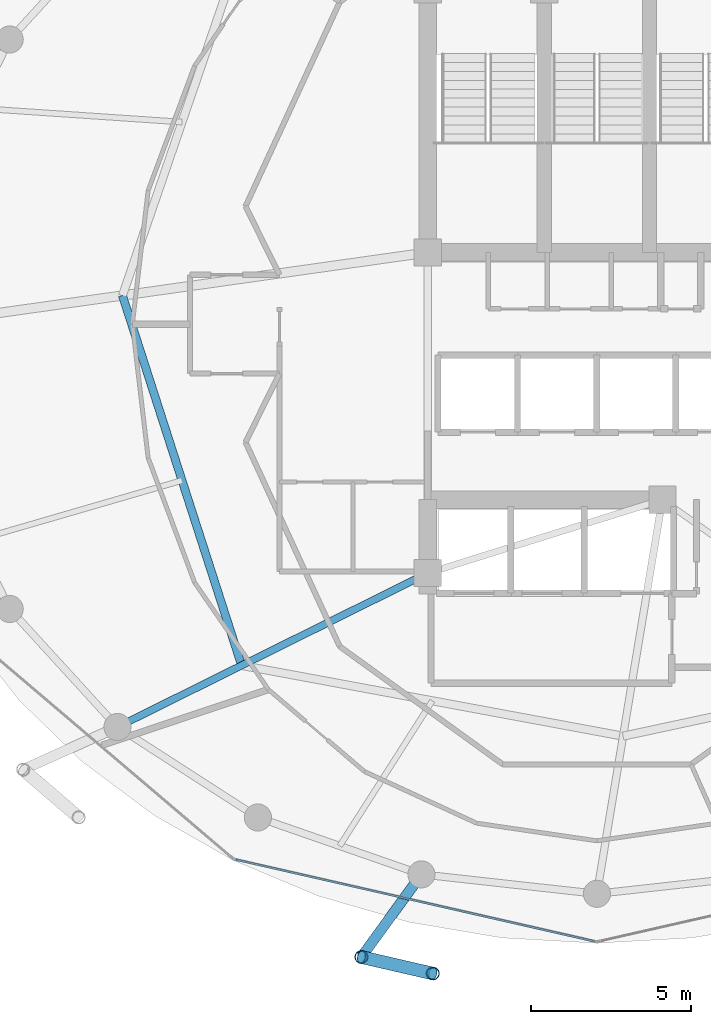
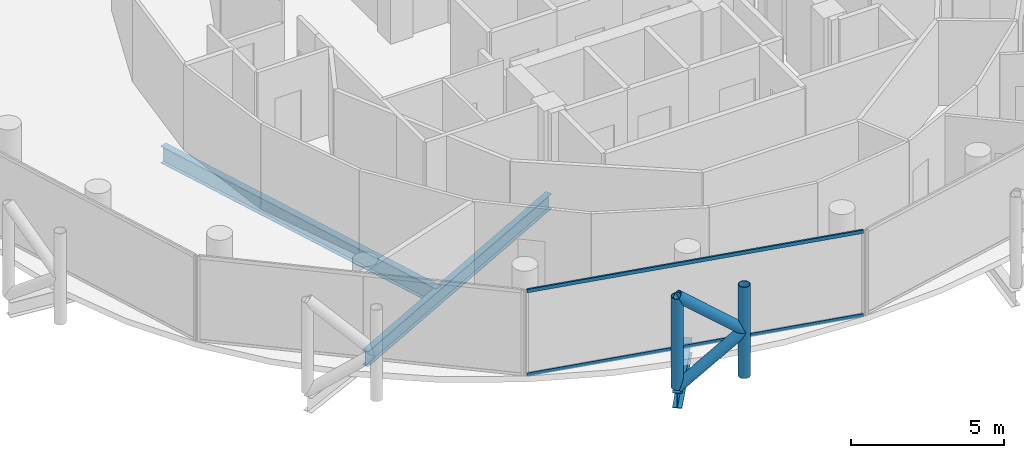
# One storey, part 4 of 27: 6 members, 3 beams, 1 element without a shape of its own.
"""IFC4 building model written with IfcOpenShell, lengths in metres."""

from ifc_helpers import new_model, si_unit, direction, frame, origin, origin_2d, place, context, subcontext, project, spatial, hollow_rectangle, hollow_circle, i_section, extrude, material, layer, layer_set, material_profile, profile_set, type_object, element, aggregate, save


model = new_model("IFC4")

# Units and contexts
model_context = context("Model", 3, precision=1e-05, world=origin(), true_north=direction((0.0, 1.0)))
body_context = subcontext(model_context, "Body", "Model", "MODEL_VIEW")
ifc_project = project(units=[si_unit("LENGTHUNIT", "METRE"), si_unit("AREAUNIT", "SQUARE_METRE"), si_unit("VOLUMEUNIT", "CUBIC_METRE"), si_unit("PLANEANGLEUNIT", "RADIAN"), si_unit("MASSUNIT", "GRAM", prefix="KILO")], contexts=[model_context])

# Site, building, storey
site_placement = place(None, origin())
site = spatial("IfcSite", under=ifc_project, at=site_placement, CompositionType="ELEMENT")
building_placement = place(site_placement, origin())
building = spatial("IfcBuilding", under=site, at=building_placement, Name="Nuhasar Tower", CompositionType="ELEMENT")
storey_placement = place(building_placement, frame((0.0, 0.0, 237.35009765625)))
storey = spatial("IfcBuildingStorey", under=building, at=storey_placement, Name="L58", CompositionType="ELEMENT", Elevation=237.35009765625)

# Beams
ifc_material_1 = material(Name="Steel S355", Category="steel")
ifc_material_profile_1 = material_profile(ifc_material_1, i_section(OverallWidth=0.25390625, OverallDepth=0.68408203125, WebThickness=0.012451171875, FlangeThickness=0.018798828125, at=origin_2d()), Name="W27X94")
ifc_profile_set_1 = profile_set([ifc_material_profile_1], Name="Steel S355")
beam_type_1 = type_object("IfcBeamType", Name="BM-INRING-W27X94", PredefinedType="BEAM", material=ifc_profile_set_1)
beam_1_placement = place(storey_placement, frame((24.1298828125, 27.699951171875, -0.58203125), z_axis=(0.306589852134, -0.951841721385, 0.0), x_axis=(0.951841721385, 0.306589852134, 0.0)))
element("IfcBeam", 1, at=beam_1_placement, inside=storey, type_object=beam_type_1, Name="L58 Inner Header Beam 08", PredefinedType="BEAM", context=body_context, shape_type="SweptSolid", body=[
    extrude(i_section(OverallWidth=0.25390625, OverallDepth=0.68408203125, WebThickness=0.012451171875, FlangeThickness=0.018798828125, at=origin_2d()), origin(), (0.0, 0.0, 1.0), 12.179443359375),
])
ifc_material_profile_2 = material_profile(ifc_material_1, i_section(OverallWidth=0.22900390625, OverallDepth=0.612060546875, WebThickness=0.011962890625, FlangeThickness=0.01953125, at=origin_2d()), Name="W24X84")
ifc_profile_set_2 = profile_set([ifc_material_profile_2], Name="Steel S355")
beam_type_2 = type_object("IfcBeamType", Name="BM-RAD-W24X84", PredefinedType="BEAM", material=ifc_profile_set_2)
beam_2_placement = place(storey_placement, frame((33.699951171875, 19.0, -0.546142578125), z_axis=(-0.895928935233, -0.444197414459, 0.0), x_axis=(0.444197414459, -0.895928935233, 0.0)))
element("IfcBeam", 2, at=beam_2_placement, inside=storey, type_object=beam_type_2, Name="L58 Radial Floor Girder 01", PredefinedType="BEAM", context=body_context, shape_type="SweptSolid", body=[
    extrude(i_section(OverallWidth=0.22900390625, OverallDepth=0.612060546875, WebThickness=0.011962890625, FlangeThickness=0.01953125, at=origin_2d()), origin(), (0.0, 0.0, 1.0), 10.85546875),
])
ifc_material_profile_3 = material_profile(ifc_material_1, i_section(OverallWidth=0.323974609375, OverallDepth=0.611083984375, WebThickness=0.0126953125, FlangeThickness=0.01904296875, at=origin_2d()), Name="W24X104")
ifc_profile_set_3 = profile_set([ifc_material_profile_3], Name="Steel S355")
beam_type_3 = type_object("IfcBeamType", Name="BM-TIE-W24X104", PredefinedType="BEAM", material=ifc_profile_set_3)
beam_3_placement = place(storey_placement, frame((33.5, 9.55810546875, -0.545166015625), z_axis=(-0.588094663461, -0.808792103577, 0.0), x_axis=(0.808792103577, -0.588094663461, 0.0)))
element("IfcBeam", 3, at=beam_3_placement, inside=storey, type_object=beam_type_3, Name="L58 Exoskeleton Node Tie Beam 09", PredefinedType="BEAM", context=body_context, shape_type="SweptSolid", body=[
    extrude(i_section(OverallWidth=0.323974609375, OverallDepth=0.611083984375, WebThickness=0.0126953125, FlangeThickness=0.01904296875, at=origin_2d()), origin(), (0.0, 0.0, 1.0), 3.20361328125),
])

# Curtain wall, members
ifc_material_2 = material(Name="Aluminium 6063-T6", Category="aluminium")
ifc_layer = layer(ifc_material_2, 0.18994140625)
ifc_layer_set = layer_set([ifc_layer], Name="Aluminium 6063-T6")
curtain_wall_type = type_object("IfcCurtainWallType", Name="CW-Z3-RES", PredefinedType="NOTDEFINED", material=ifc_layer_set)
curtain_wall_placement = place(storey_placement, origin())
curtain_wall = element("IfcCurtainWall", 4, at=curtain_wall_placement, inside=storey, type_object=curtain_wall_type, Name="L58 Unitised Curtain Wall 09", PredefinedType="NOTDEFINED")
ifc_material_profile_4 = material_profile(ifc_material_2, hollow_rectangle(XDim=0.06494140625, YDim=0.139892578125, WallThickness=0.00439453125, at=origin_2d()), Name="CWT-4")
ifc_profile_set_4 = profile_set([ifc_material_profile_4], Name="Aluminium 6063-T6")
member_type_1 = type_object("IfcMemberType", Name="CW-TRN-S4", PredefinedType="USERDEFINED", material=ifc_profile_set_4)
member_1_placement = place(storey_placement, frame((27.683349609375, 10.01953125, 0.032470703125), z_axis=(0.974989487479, -0.222250982686, 0.0), x_axis=(0.222250982686, 0.974989487479, 0.0)))
member_1 = element("IfcMember", 5, at=member_1_placement, type_object=member_type_1, Name="CW-Z3 transom 1.1", ObjectType="TRANSOM", PredefinedType="USERDEFINED", context=body_context, shape_type="SweptSolid", body=[
    extrude(hollow_rectangle(XDim=0.06494140625, YDim=0.139892578125, WallThickness=0.00439453125, at=origin_2d()), origin(), (0.0, 0.0, 1.0), 11.541748046875),
])
member_2_placement = place(storey_placement, frame((27.683349609375, 10.01953125, 3.37744140625), z_axis=(0.974989487479, -0.222250982686, 0.0), x_axis=(0.222250982686, 0.974989487479, 0.0)))
member_2 = element("IfcMember", 6, at=member_2_placement, type_object=member_type_1, Name="CW-Z3 transom 1.2", ObjectType="TRANSOM", PredefinedType="USERDEFINED", context=body_context, shape_type="SweptSolid", body=[
    extrude(hollow_rectangle(XDim=0.06494140625, YDim=0.139892578125, WallThickness=0.00439453125, at=origin_2d()), origin(), (0.0, 0.0, 1.0), 11.541748046875),
])
aggregate(curtain_wall, [member_1, member_2])

# Members
ifc_material_3 = material(Name="Steel S460", Category="steel")
ifc_material_profile_5 = material_profile(ifc_material_3, hollow_circle(Radius=0.203125, WallThickness=0.01904296875, at=origin_2d()), Name="HSS406.4X19.1")
ifc_profile_set_5 = profile_set([ifc_material_profile_5], Name="Steel S460")
member_type_2 = type_object("IfcMemberType", Name="EXO-BRONZE-406", PredefinedType="BRACE", material=ifc_profile_set_5)
for number, where, z_axis, x_axis, name in (
    (7, (31.615966796875, 6.967041015625, 0.0), (0.0, 0.0, 1.0), (1.0, 0.0, 0.0), "L58 Exoskeleton Chord Column EC-09A"),
    (8, (33.85693359375, 6.450927734375, 0.0), (0.0, 0.0, 1.0), (1.0, 0.0, 0.0), "L58 Exoskeleton Chord Column EC-09B"),
):
    element("IfcMember", number, at=place(storey_placement, frame(where, z_axis=z_axis, x_axis=x_axis)), inside=storey, type_object=member_type_2, Name=name, PredefinedType="BRACE", context=body_context, shape_type="SweptSolid", body=[
        extrude(hollow_circle(Radius=0.203125, WallThickness=0.01904296875, at=origin_2d()), origin(), (0.0, 0.0, 1.0), 3.64990234375),
    ])
for number, where, z_axis, x_axis, name in (
    (9, (31.615966796875, 6.967041015625, 0.0), (0.76333158458, -0.175801609086, 0.621625841021), (0.224433035437, 0.97448951385, 0.0), "L58 Bronze Diagrid Brace W1-09"),
    (10, (33.85693359375, 6.450927734375, 1.824951171875), (-0.76333158458, 0.175801609086, 0.621625841021), (-0.224433035437, -0.97448951385, 0.0), "L58 Bronze Diagrid Brace W2-09"),
):
    element("IfcMember", number, at=place(storey_placement, frame(where, z_axis=z_axis, x_axis=x_axis)), inside=storey, type_object=member_type_2, Name=name, PredefinedType="BRACE", context=body_context, shape_type="SweptSolid", body=[
        extrude(hollow_circle(Radius=0.203125, WallThickness=0.01904296875, at=origin_2d()), origin(), (0.0, 0.0, 1.0), 2.935791015625),
    ])

save(model, "model.ifc")
